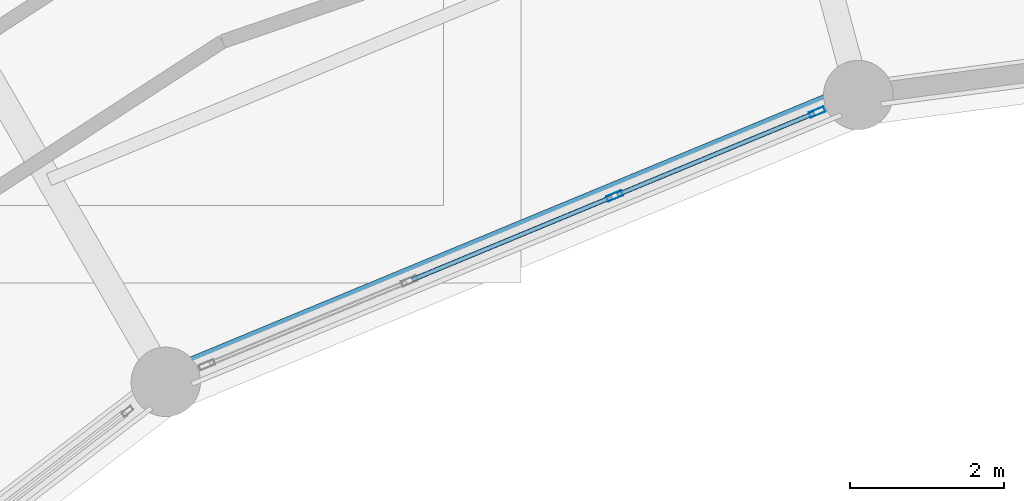
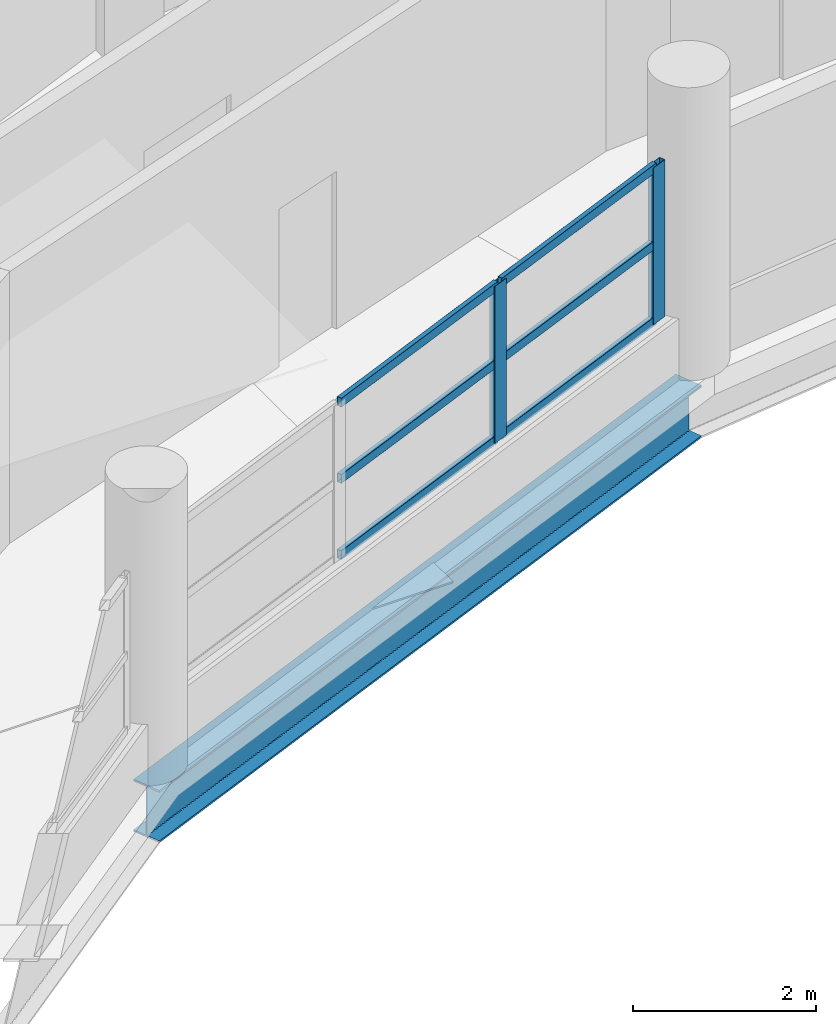
# One storey, part 39 of 88: 8 members, 1 beam, 1 element without a shape of its own.
"""IFC4 building model written with IfcOpenShell, lengths in metres."""

import ifcopenshell
import ifcopenshell.guid

model = None  # the IFC model being written
_history = None  # IfcOwnerHistory: only IFC2X3 demands one
_inside = {}  # id of a spatial element -> (the spatial element, [elements in it])
_under = {}  # id of a project, library or spatial element -> (it, [spatial elements below it])
_declared = {}  # id of a project -> (the project, [libraries it declares])
_typed = {}  # id of a type object -> (the type object, [elements of that type])
_made_of = {}  # id of a material, layer set ... -> (it, [elements and type objects made of it])


def new_model(schema):
    """Start an empty IFC model of exactly this schema.

    Asked for "IFC4X3", IfcOpenShell would pick the latest addendum, in which some entities
    have other attributes; the version numbers below select the first issue.
    IFC2X3 requires an IfcOwnerHistory on every rooted entity: one is made here for all.
    """
    global model, _history
    if schema == "IFC4X3":
        model = ifcopenshell.file(schema_version=(4, 3, 0, 0))
    else:
        model = ifcopenshell.file(schema=schema)
    _inside.clear()
    _under.clear()
    _declared.clear()
    _typed.clear()
    _made_of.clear()
    _history = None
    if model.schema == "IFC2X3":
        org = make("IfcOrganization", Name="unknown")
        user = make(
            "IfcPersonAndOrganization",
            ThePerson=make("IfcPerson", FamilyName="unknown"),
            TheOrganization=org,
        )
        app = make(
            "IfcApplication",
            ApplicationDeveloper=org,
            Version="unknown",
            ApplicationFullName="unknown",
            ApplicationIdentifier="unknown",
        )
        _history = make(
            "IfcOwnerHistory",
            OwningUser=user,
            OwningApplication=app,
            ChangeAction="ADDED",
            CreationDate=0,
        )
    return model


def make(cls, **values):
    """One entity of the class cls with the attributes given. An attribute that is None is left unset."""
    return model.create_entity(
        cls, **{name: value for name, value in values.items() if value is not None}
    )


def rooted(cls, **values):
    """An entity with a GlobalId (a new one), such as an element, a storey or a relation."""
    return make(cls, GlobalId=ifcopenshell.guid.new(), OwnerHistory=_history, **values)


def si_unit(unit_type, name, prefix=None):
    """IfcSIUnit, for example si_unit("LENGTHUNIT", "METRE", prefix="MILLI")."""
    return make("IfcSIUnit", UnitType=unit_type, Prefix=prefix, Name=name)


def assignment(units):
    """IfcUnitAssignment: the units of a project."""
    return None if units is None else make("IfcUnitAssignment", Units=units)


def point(xyz):
    """IfcCartesianPoint."""
    return None if xyz is None else make("IfcCartesianPoint", Coordinates=xyz)


def direction(xyz):
    """IfcDirection."""
    return None if xyz is None else make("IfcDirection", DirectionRatios=xyz)


def frame(location, z_axis=None, x_axis=None):
    """IfcAxis2Placement3D, a coordinate frame: its origin and axes. An axis left out is left unset."""
    return make(
        "IfcAxis2Placement3D",
        Location=point(location),
        Axis=direction(z_axis),
        RefDirection=direction(x_axis),
    )


def frame_2d(location, x_axis=None):
    """IfcAxis2Placement2D, a coordinate frame in the plane: its origin and x axis."""
    return make(
        "IfcAxis2Placement2D", Location=point(location), RefDirection=direction(x_axis)
    )


def origin():
    """The frame at (0, 0, 0) with its axes left unset."""
    return frame((0.0, 0.0, 0.0))


def origin_2d():
    """The frame at (0, 0) in the plane with its x axis left unset."""
    return frame_2d((0.0, 0.0))


def place(relative_to, where):
    """IfcLocalPlacement: puts the frame where relative to a parent placement (None: the world)."""
    return make(
        "IfcLocalPlacement", PlacementRelTo=relative_to, RelativePlacement=where
    )


def context(
    kind, dimensions, precision=None, world=None, true_north=None, identifier=None
):
    """IfcGeometricRepresentationContext, for example the 3D "Model" context."""
    return make(
        "IfcGeometricRepresentationContext",
        ContextIdentifier=identifier,
        ContextType=kind,
        CoordinateSpaceDimension=dimensions,
        Precision=precision,
        WorldCoordinateSystem=world,
        TrueNorth=true_north,
    )


def subcontext(parent, identifier, kind, view, scale=None):
    """IfcGeometricRepresentationSubContext, for example "Body" below "Model"."""
    return make(
        "IfcGeometricRepresentationSubContext",
        ContextIdentifier=identifier,
        ContextType=kind,
        ParentContext=parent,
        TargetScale=scale,
        TargetView=view,
    )


def project(units=None, contexts=None):
    """IfcProject with its units and contexts."""
    return rooted(
        "IfcProject",
        Name="project",
        RepresentationContexts=contexts,
        UnitsInContext=assignment(units),
    )


def spatial(cls, under=None, at=None, **own):
    """A site, building, storey or space (cls), placed at a placement, below another one or the project."""
    s = rooted(cls, ObjectPlacement=at, **own)
    if under is not None:
        _under.setdefault(under.id(), (under, []))[1].append(s)
    return s


def profile(cls, at=None, kind="AREA", **sizes):
    """A parametric profile (cls). Its sizes go by their IFC names, for example OverallWidth=200.0."""
    return make(cls, ProfileType=kind, Position=at, **sizes)


def hollow_rectangle(**sizes):
    """IfcRectangleHollowProfileDef."""
    return profile("IfcRectangleHollowProfileDef", **sizes)


def i_section(**sizes):
    """IfcIShapeProfileDef."""
    return profile("IfcIShapeProfileDef", **sizes)


def extrude(swept, where, along, depth):
    """IfcExtrudedAreaSolid: the profile swept, set in the frame where, extruded along a direction by depth."""
    return make(
        "IfcExtrudedAreaSolid",
        SweptArea=swept,
        Position=where,
        ExtrudedDirection=direction(along),
        Depth=depth,
    )


def shape(context_of_items, identifier, shape_type, items):
    """IfcShapeRepresentation: the items that make up one representation, for example the "Body"."""
    return make(
        "IfcShapeRepresentation",
        ContextOfItems=context_of_items,
        RepresentationIdentifier=identifier,
        RepresentationType=shape_type,
        Items=items,
    )


def material(Name=None, Category=None):
    """IfcMaterial."""
    return make("IfcMaterial", Name=Name, Category=Category)


def layer(
    of_material, thickness, ventilated=None, Name=None, Category=None, Priority=None
):
    """IfcMaterialLayer: one layer of a wall or slab, of a material (None: an air gap)."""
    return make(
        "IfcMaterialLayer",
        Material=of_material,
        LayerThickness=thickness,
        IsVentilated=ventilated,
        Name=Name,
        Category=Category,
        Priority=Priority,
    )


def layer_set(layers, Name=None):
    """IfcMaterialLayerSet."""
    return make("IfcMaterialLayerSet", MaterialLayers=layers, LayerSetName=Name)


def material_profile(
    of_material, cross_section, Name=None, Category=None, Priority=None
):
    """IfcMaterialProfile: a cross section and its material."""
    return make(
        "IfcMaterialProfile",
        Name=Name,
        Material=of_material,
        Profile=cross_section,
        Priority=Priority,
        Category=Category,
    )


def profile_set(profiles, Name=None, composite=None):
    """IfcMaterialProfileSet."""
    return make(
        "IfcMaterialProfileSet",
        Name=Name,
        MaterialProfiles=profiles,
        CompositeProfile=composite,
    )


def made_of(thing, what):
    """Note that an element or type object is made of a material, layer set ...; save() writes the relation."""
    if what is not None:
        _made_of.setdefault(what.id(), (what, []))[1].append(thing)
    return thing


def type_object(cls, material=None, **own):
    """A type object (cls), such as IfcWallType, which elements share."""
    return made_of(rooted(cls, **own), material)


def element(
    cls,
    number,
    at=None,
    inside=None,
    cuts=None,
    type_object=None,
    material=None,
    context=None,
    identifier="Body",
    shape_type=None,
    held_by="IfcProductDefinitionShape",
    body=None,
    shapes=None,
    **own,
):
    """One element of the class cls, such as IfcWall. Its Tag is "e" and its number.

    at: its placement. inside: the storey or other place that contains it. cuts: it is an
    opening in that element (IfcRelVoidsElement). A single representation is given by context,
    identifier, shape_type and body (its items); several are given by shapes. held_by: the class
    of the entity that holds the representations. save() writes the other relations.
    """
    e = rooted(cls, Tag="e%d" % number, ObjectPlacement=at, **own)
    if body is not None:
        shapes = [shape(context, identifier, shape_type, body)]
    if shapes is not None:
        e.Representation = make(held_by, Representations=shapes)
    if inside is not None:
        _inside.setdefault(inside.id(), (inside, []))[1].append(e)
    if cuts is not None:
        rooted(
            "IfcRelVoidsElement", RelatingBuildingElement=cuts, RelatedOpeningElement=e
        )
    if type_object is not None:
        _typed.setdefault(type_object.id(), (type_object, []))[1].append(e)
    return made_of(e, material)


def aggregate(whole, parts):
    """IfcRelAggregates: a whole, such as a stair, and the parts it consists of."""
    return rooted("IfcRelAggregates", RelatingObject=whole, RelatedObjects=parts)


def save(model, path):
    """Write the relations noted so far, then the file.

    IfcRelAggregates (storeys below a building ...), IfcRelContainedInSpatialStructure (elements
    in a storey), IfcRelDefinesByType, IfcRelAssociatesMaterial and IfcRelDeclares: one each for
    every whole, place, type object, material and project.
    """
    for whole, parts in _under.values():
        aggregate(whole, parts)
    for where, things in _inside.values():
        rooted(
            "IfcRelContainedInSpatialStructure",
            RelatedElements=things,
            RelatingStructure=where,
        )
    for kind, things in _typed.values():
        rooted("IfcRelDefinesByType", RelatedObjects=things, RelatingType=kind)
    for what, things in _made_of.values():
        rooted("IfcRelAssociatesMaterial", RelatedObjects=things, RelatingMaterial=what)
    for by, libraries in _declared.values():
        rooted("IfcRelDeclares", RelatingContext=by, RelatedDefinitions=libraries)
    model.write(path)


model = new_model("IFC4")

# Units and contexts
model_context = context("Model", 3, precision=1e-05, world=origin(), true_north=direction((0.0, 1.0)))
body_context = subcontext(model_context, "Body", "Model", "MODEL_VIEW")
ifc_project = project(units=[si_unit("LENGTHUNIT", "METRE"), si_unit("AREAUNIT", "SQUARE_METRE"), si_unit("VOLUMEUNIT", "CUBIC_METRE"), si_unit("PLANEANGLEUNIT", "RADIAN"), si_unit("MASSUNIT", "GRAM", prefix="KILO")], contexts=[model_context])

# Site, building, storey
site_placement = place(None, origin())
site = spatial("IfcSite", under=ifc_project, at=site_placement, CompositionType="ELEMENT")
building_placement = place(site_placement, origin())
building = spatial("IfcBuilding", under=site, at=building_placement, Name="Vespera Passage Community Centre", CompositionType="ELEMENT")
storey_placement = place(building_placement, frame((0.0, 0.0, 16.5)))
storey = spatial("IfcBuildingStorey", under=building, at=storey_placement, Name="L04", CompositionType="ELEMENT", Elevation=16.5)

# Beam
ifc_material_1 = material(Name="Steel ASTM A992 Grade 50", Category="steel")
ifc_material_profile_1 = material_profile(ifc_material_1, i_section(OverallWidth=0.3544921875, OverallDepth=0.695556640625, WebThickness=0.015380859375, FlangeThickness=0.024658203125, FilletRadius=0.01513671875, at=origin_2d()), Name="W27X146")
ifc_profile_set_1 = profile_set([ifc_material_profile_1], Name="Steel ASTM A992 Grade 50")
beam_type = type_object("IfcBeamType", Name="BM-SP-W27X146E", PredefinedType="SPANDREL", material=ifc_profile_set_1)
beam_placement = place(storey_placement, frame((68.371826171875, 101.432373046875, -0.647705078125), z_axis=(-0.923878947685, -0.382684844258, 0.0), x_axis=(0.382684844258, -0.923878947685, 0.0)))
element("IfcBeam", 1, at=beam_placement, inside=storey, type_object=beam_type, Name="V4 L04 Inner Spandrel 7", PredefinedType="SPANDREL", context=body_context, shape_type="SweptSolid", body=[
    extrude(i_section(OverallWidth=0.3544921875, OverallDepth=0.695556640625, WebThickness=0.015380859375, FlangeThickness=0.024658203125, FilletRadius=0.01513671875, at=origin_2d()), origin(), (0.0, 0.0, 1.0), 9.711181640625),
])

# Curtain wall, members
ifc_material_2 = material(Name="Anodized aluminium 6063-T6", Category="aluminium")
ifc_layer = layer(ifc_material_2, 0.159912109375)
ifc_layer_set = layer_set([ifc_layer], Name="Anodized aluminium 6063-T6")
curtain_wall_type = type_object("IfcCurtainWallType", Name="CW-56E", PredefinedType="NOTDEFINED", material=ifc_layer_set)
curtain_wall_placement = place(storey_placement, origin())
curtain_wall = element("IfcCurtainWall", 2, at=curtain_wall_placement, inside=storey, type_object=curtain_wall_type, Name="V4 L04 Inner Court Curtain Wall 7", PredefinedType="NOTDEFINED")
ifc_material_3 = material(Name="Anodized aluminium 6063-T6", Category="aluminium")
ifc_material_profile_2 = material_profile(ifc_material_3, hollow_rectangle(XDim=0.074951171875, YDim=0.2099609375, WallThickness=0.0048828125, InnerFilletRadius=0.00244140625, OuterFilletRadius=0.0048828125, at=origin_2d()), Name="ALU210X75X5")
ifc_profile_set_2 = profile_set([ifc_material_profile_2], Name="Anodized aluminium 6063-T6")
member_type_1 = type_object("IfcMemberType", Name="MB-CWM-210E", PredefinedType="MULLION", material=ifc_profile_set_2)
member_1_placement = place(storey_placement, frame((67.838623046875, 101.211669921875, 0.820068359375), z_axis=(0.0, 0.0, 1.0), x_axis=(0.382690463482, -0.923876620096, 0.0)))
member_1 = element("IfcMember", 3, at=member_1_placement, type_object=member_type_1, Name="CW-56E mullion 1", PredefinedType="MULLION", context=body_context, shape_type="SweptSolid", body=[
    extrude(hollow_rectangle(XDim=0.074951171875, YDim=0.2099609375, WallThickness=0.0048828125, InnerFilletRadius=0.00244140625, OuterFilletRadius=0.0048828125, at=origin_2d()), origin(), (0.0, 0.0, 1.0), 2.08935546875),
])
member_2_placement = place(storey_placement, frame((65.215087890625, 100.124755859375, 0.820068359375), z_axis=(0.0, 0.0, 1.0), x_axis=(0.382690463482, -0.923876620096, 0.0)))
member_2 = element("IfcMember", 4, at=member_2_placement, type_object=member_type_1, Name="CW-56E mullion 2", PredefinedType="MULLION", context=body_context, shape_type="SweptSolid", body=[
    extrude(hollow_rectangle(XDim=0.074951171875, YDim=0.2099609375, WallThickness=0.0048828125, InnerFilletRadius=0.00244140625, OuterFilletRadius=0.0048828125, at=origin_2d()), origin(), (0.0, 0.0, 1.0), 2.08935546875),
])
ifc_material_4 = material(Name="Anodized aluminium 6063-T6", Category="aluminium")
ifc_material_profile_3 = material_profile(ifc_material_4, hollow_rectangle(XDim=0.06005859375, YDim=0.1201171875, WallThickness=0.00390625, InnerFilletRadius=0.001953125, OuterFilletRadius=0.00390625, at=origin_2d()), Name="ALU120X60X4")
ifc_profile_set_3 = profile_set([ifc_material_profile_3], Name="Anodized aluminium 6063-T6")
member_type_2 = type_object("IfcMemberType", Name="MB-CWT-120E", PredefinedType="USERDEFINED", material=ifc_profile_set_3)
member_3_placement = place(storey_placement, frame((67.803955078125, 101.197265625, 0.85009765625), z_axis=(-0.923863992677, -0.382720946689, 0.0), x_axis=(0.382720946689, -0.923863992677, 0.0)))
member_3 = element("IfcMember", 5, at=member_3_placement, type_object=member_type_2, Name="CW-56E transom 1.1", ObjectType="TRANSOM", PredefinedType="USERDEFINED", context=body_context, shape_type="SweptSolid", body=[
    extrude(hollow_rectangle(XDim=0.06005859375, YDim=0.1201171875, WallThickness=0.00390625, InnerFilletRadius=0.001953125, OuterFilletRadius=0.00390625, at=origin_2d()), origin(), (0.0, 0.0, 1.0), 2.7646484375),
])
member_4_placement = place(storey_placement, frame((67.803955078125, 101.197265625, 1.86474609375), z_axis=(-0.923863992677, -0.382720946689, 0.0), x_axis=(0.382720946689, -0.923863992677, 0.0)))
member_4 = element("IfcMember", 6, at=member_4_placement, type_object=member_type_2, Name="CW-56E transom 1.2", ObjectType="TRANSOM", PredefinedType="USERDEFINED", context=body_context, shape_type="SweptSolid", body=[
    extrude(hollow_rectangle(XDim=0.06005859375, YDim=0.1201171875, WallThickness=0.00390625, InnerFilletRadius=0.001953125, OuterFilletRadius=0.00390625, at=origin_2d()), origin(), (0.0, 0.0, 1.0), 2.7646484375),
])
member_5_placement = place(storey_placement, frame((67.803955078125, 101.197265625, 2.87939453125), z_axis=(-0.923863992677, -0.382720946689, 0.0), x_axis=(0.382720946689, -0.923863992677, 0.0)))
member_5 = element("IfcMember", 7, at=member_5_placement, type_object=member_type_2, Name="CW-56E transom 1.3", ObjectType="TRANSOM", PredefinedType="USERDEFINED", context=body_context, shape_type="SweptSolid", body=[
    extrude(hollow_rectangle(XDim=0.06005859375, YDim=0.1201171875, WallThickness=0.00390625, InnerFilletRadius=0.001953125, OuterFilletRadius=0.00390625, at=origin_2d()), origin(), (0.0, 0.0, 1.0), 2.7646484375),
])
member_6_placement = place(storey_placement, frame((65.180419921875, 100.1103515625, 0.85009765625), z_axis=(-0.923889408399, -0.382659588994, 0.0), x_axis=(0.382659588994, -0.923889408399, 0.0)))
member_6 = element("IfcMember", 8, at=member_6_placement, type_object=member_type_2, Name="CW-56E transom 2.1", ObjectType="TRANSOM", PredefinedType="USERDEFINED", context=body_context, shape_type="SweptSolid", body=[
    extrude(hollow_rectangle(XDim=0.06005859375, YDim=0.1201171875, WallThickness=0.00390625, InnerFilletRadius=0.001953125, OuterFilletRadius=0.00390625, at=origin_2d()), origin(), (0.0, 0.0, 1.0), 2.80224609375),
])
member_7_placement = place(storey_placement, frame((65.180419921875, 100.1103515625, 1.86474609375), z_axis=(-0.923889408399, -0.382659588994, 0.0), x_axis=(0.382659588994, -0.923889408399, 0.0)))
member_7 = element("IfcMember", 9, at=member_7_placement, type_object=member_type_2, Name="CW-56E transom 2.2", ObjectType="TRANSOM", PredefinedType="USERDEFINED", context=body_context, shape_type="SweptSolid", body=[
    extrude(hollow_rectangle(XDim=0.06005859375, YDim=0.1201171875, WallThickness=0.00390625, InnerFilletRadius=0.001953125, OuterFilletRadius=0.00390625, at=origin_2d()), origin(), (0.0, 0.0, 1.0), 2.80224609375),
])
member_8_placement = place(storey_placement, frame((65.180419921875, 100.1103515625, 2.87939453125), z_axis=(-0.923889408399, -0.382659588994, 0.0), x_axis=(0.382659588994, -0.923889408399, 0.0)))
member_8 = element("IfcMember", 10, at=member_8_placement, type_object=member_type_2, Name="CW-56E transom 2.3", ObjectType="TRANSOM", PredefinedType="USERDEFINED", context=body_context, shape_type="SweptSolid", body=[
    extrude(hollow_rectangle(XDim=0.06005859375, YDim=0.1201171875, WallThickness=0.00390625, InnerFilletRadius=0.001953125, OuterFilletRadius=0.00390625, at=origin_2d()), origin(), (0.0, 0.0, 1.0), 2.80224609375),
])
aggregate(curtain_wall, [member_1, member_2, member_3, member_4, member_5, member_6, member_7, member_8])

save(model, "model.ifc")
